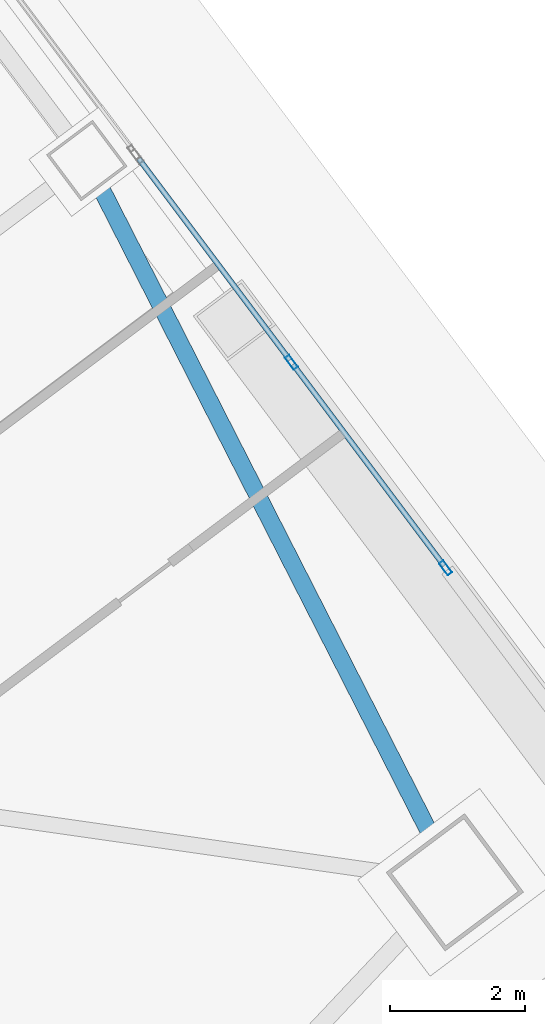
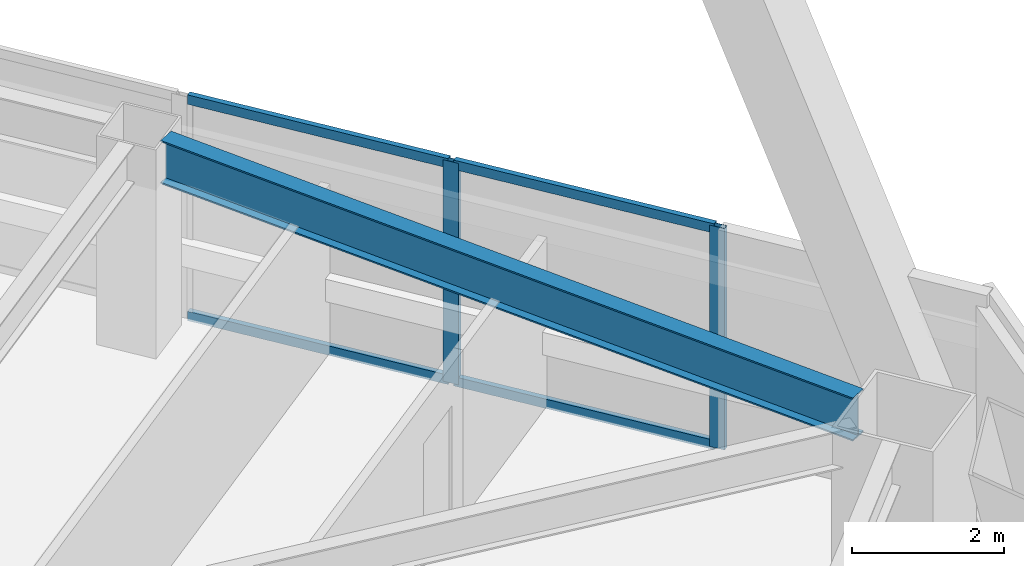
# One storey, part 44 of 67: 6 members, 1 beam, 1 element without a shape of its own.
"""IFC4 building model written with IfcOpenShell, lengths in metres."""

from ifc_helpers import new_model, si_unit, direction, frame, origin, origin_2d, place, context, subcontext, project, spatial, hollow_rectangle, i_section, extrude, material, material_profile, profile_set, type_object, element, aggregate, save


model = new_model("IFC4")

# Units and contexts
model_context = context("Model", 3, precision=1e-05, world=origin(), true_north=direction((0.0, 1.0)))
body_context = subcontext(model_context, "Body", "Model", "MODEL_VIEW")
ifc_project = project(units=[si_unit("LENGTHUNIT", "METRE"), si_unit("AREAUNIT", "SQUARE_METRE"), si_unit("VOLUMEUNIT", "CUBIC_METRE"), si_unit("PLANEANGLEUNIT", "RADIAN"), si_unit("MASSUNIT", "GRAM", prefix="KILO")], contexts=[model_context])

# Site, building, storey
site_placement = place(None, origin())
site = spatial("IfcSite", under=ifc_project, at=site_placement, CompositionType="ELEMENT")
building_placement = place(site_placement, origin())
building = spatial("IfcBuilding", under=site, at=building_placement, Name="Tashvorn Skyway Center", CompositionType="ELEMENT")
storey_placement = place(building_placement, frame((0.0, 0.0, 67.199951171875)))
storey = spatial("IfcBuildingStorey", under=building, at=storey_placement, Name="L17", CompositionType="ELEMENT", Elevation=67.199951171875)

# Beam
ifc_material_1 = material(Name="Steel ASTM A992 Grade 50", Category="steel")
ifc_material_profile_1 = material_profile(ifc_material_1, i_section(OverallWidth=0.256103515625, OverallDepth=0.693115234375, WebThickness=0.014404296875, FlangeThickness=0.023681640625, at=origin_2d()), Name="W27X114")
ifc_profile_set_1 = profile_set([ifc_material_profile_1], Name="Steel ASTM A992 Grade 50")
beam_type = type_object("IfcBeamType", Name="BM-SPANDREL-W27X114", PredefinedType="SPANDREL", material=ifc_profile_set_1)
beam_placement = place(storey_placement, frame((137.7529296875, 29.201416015625, 3.003662109375), z_axis=(-0.454210938961, 0.890894170442, 0.0), x_axis=(-0.890894170442, -0.454210938961, 0.0)))
element("IfcBeam", 1, at=beam_placement, inside=storey, type_object=beam_type, Name="Tower 2 L17 Spandrel Beam 04", PredefinedType="SPANDREL", context=body_context, shape_type="SweptSolid", body=[
    extrude(i_section(OverallWidth=0.256103515625, OverallDepth=0.693115234375, WebThickness=0.014404296875, FlangeThickness=0.023681640625, at=origin_2d()), origin(), (0.0, 0.0, 1.0), 10.836669921875),
])

# Curtain wall, members
ifc_material_2 = material(Name="Thermally broken bronze-anodized aluminium 6063-T6", Category="aluminium")
curtain_wall_type = type_object("IfcCurtainWallType", Name="CW-CW-Z2", PredefinedType="NOTDEFINED", material=ifc_material_2)
curtain_wall_placement = place(storey_placement, origin())
curtain_wall = element("IfcCurtainWall", 2, at=curtain_wall_placement, inside=storey, type_object=curtain_wall_type, Name="Tower 2 L17 East Unitised Curtain Wall Glazing Group 3", PredefinedType="NOTDEFINED")
ifc_material_profile_2 = material_profile(ifc_material_2, hollow_rectangle(XDim=0.080078125, YDim=0.219970703125, WallThickness=0.0048828125, at=origin_2d()), Name="ALU-MULL-80x220")
ifc_profile_set_2 = profile_set([ifc_material_profile_2], Name="Thermally broken bronze-anodized aluminium 6063-T6")
member_type_1 = type_object("IfcMemberType", Name="CWM-CW-Z2", PredefinedType="MULLION", material=ifc_profile_set_2)
member_1_placement = place(storey_placement, frame((135.6640625, 36.248046875, 0.0), z_axis=(0.0, 0.0, 1.0), x_axis=(0.799999999998, 0.600000000002, 0.0)))
member_1 = element("IfcMember", 3, at=member_1_placement, type_object=member_type_1, Name="CW-Z2 mullion 2", PredefinedType="MULLION", context=body_context, shape_type="SweptSolid", body=[
    extrude(hollow_rectangle(XDim=0.080078125, YDim=0.219970703125, WallThickness=0.0048828125, at=origin_2d()), origin(), (0.0, 0.0, 1.0), 3.550048828125),
])
member_2_placement = place(storey_placement, frame((137.944091796875, 33.2080078125, 0.0), z_axis=(0.0, 0.0, 1.0), x_axis=(0.799999999998, 0.600000000002, 0.0)))
member_2 = element("IfcMember", 4, at=member_2_placement, type_object=member_type_1, Name="CW-Z2 mullion 3", PredefinedType="MULLION", context=body_context, shape_type="SweptSolid", body=[
    extrude(hollow_rectangle(XDim=0.080078125, YDim=0.219970703125, WallThickness=0.0048828125, at=origin_2d()), origin(), (0.0, 0.0, 1.0), 3.550048828125),
])
ifc_material_profile_3 = material_profile(ifc_material_2, hollow_rectangle(XDim=0.080078125, YDim=0.14990234375, WallThickness=0.00439453125, at=origin_2d()), Name="ALU-TRAN-80x150")
ifc_profile_set_3 = profile_set([ifc_material_profile_3], Name="Thermally broken bronze-anodized aluminium 6063-T6")
member_type_2 = type_object("IfcMemberType", Name="CWT-CW-Z2", PredefinedType="USERDEFINED", material=ifc_profile_set_3)
member_3_placement = place(storey_placement, frame((133.407958984375, 39.256103515625, 0.0400390625), z_axis=(0.599978998559, -0.80001575065, 0.0), x_axis=(0.80001575065, 0.599978998559, 0.0)))
member_3 = element("IfcMember", 5, at=member_3_placement, type_object=member_type_2, Name="CW-Z2 transom 1.1", ObjectType="TRANSOM", PredefinedType="USERDEFINED", context=body_context, shape_type="SweptSolid", body=[
    extrude(hollow_rectangle(XDim=0.080078125, YDim=0.14990234375, WallThickness=0.00439453125, at=origin_2d()), origin(), (0.0, 0.0, 1.0), 3.719970703125),
])
member_4_placement = place(storey_placement, frame((133.407958984375, 39.256103515625, 3.510009765625), z_axis=(0.599978998559, -0.80001575065, 0.0), x_axis=(0.80001575065, 0.599978998559, 0.0)))
member_4 = element("IfcMember", 6, at=member_4_placement, type_object=member_type_2, Name="CW-Z2 transom 1.2", ObjectType="TRANSOM", PredefinedType="USERDEFINED", context=body_context, shape_type="SweptSolid", body=[
    extrude(hollow_rectangle(XDim=0.080078125, YDim=0.14990234375, WallThickness=0.00439453125, at=origin_2d()), origin(), (0.0, 0.0, 1.0), 3.719970703125),
])
member_5_placement = place(storey_placement, frame((135.68798828125, 36.216064453125, 0.0400390625), z_axis=(0.599978998559, -0.80001575065, 0.0), x_axis=(0.80001575065, 0.599978998559, 0.0)))
member_5 = element("IfcMember", 7, at=member_5_placement, type_object=member_type_2, Name="CW-Z2 transom 2.1", ObjectType="TRANSOM", PredefinedType="USERDEFINED", context=body_context, shape_type="SweptSolid", body=[
    extrude(hollow_rectangle(XDim=0.080078125, YDim=0.14990234375, WallThickness=0.00439453125, at=origin_2d()), origin(), (0.0, 0.0, 1.0), 3.719970703125),
])
member_6_placement = place(storey_placement, frame((135.68798828125, 36.216064453125, 3.510009765625), z_axis=(0.599978998559, -0.80001575065, 0.0), x_axis=(0.80001575065, 0.599978998559, 0.0)))
member_6 = element("IfcMember", 8, at=member_6_placement, type_object=member_type_2, Name="CW-Z2 transom 2.2", ObjectType="TRANSOM", PredefinedType="USERDEFINED", context=body_context, shape_type="SweptSolid", body=[
    extrude(hollow_rectangle(XDim=0.080078125, YDim=0.14990234375, WallThickness=0.00439453125, at=origin_2d()), origin(), (0.0, 0.0, 1.0), 3.719970703125),
])
aggregate(curtain_wall, [member_1, member_2, member_3, member_4, member_5, member_6])

save(model, "model.ifc")
